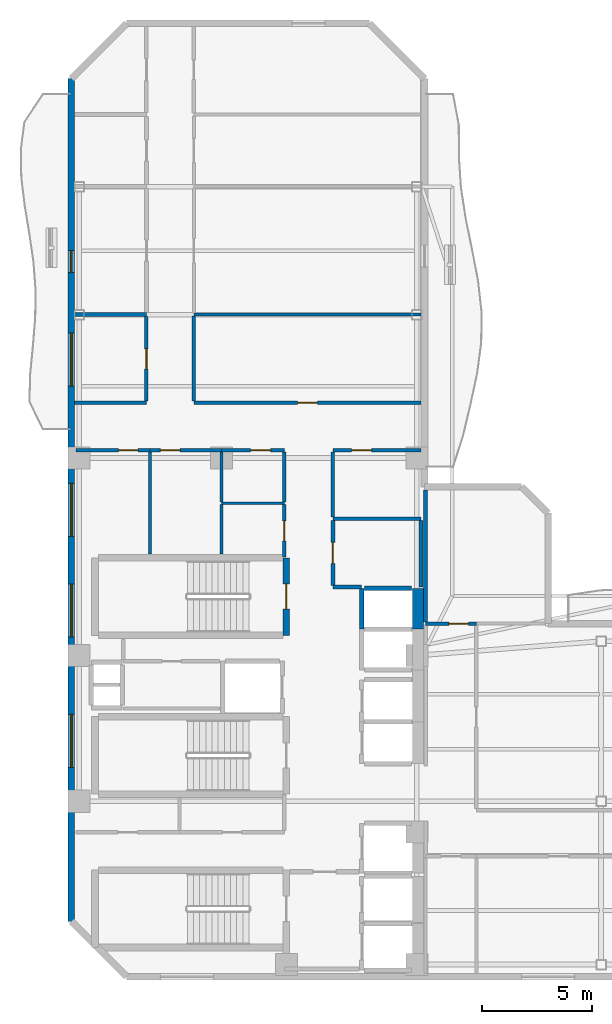
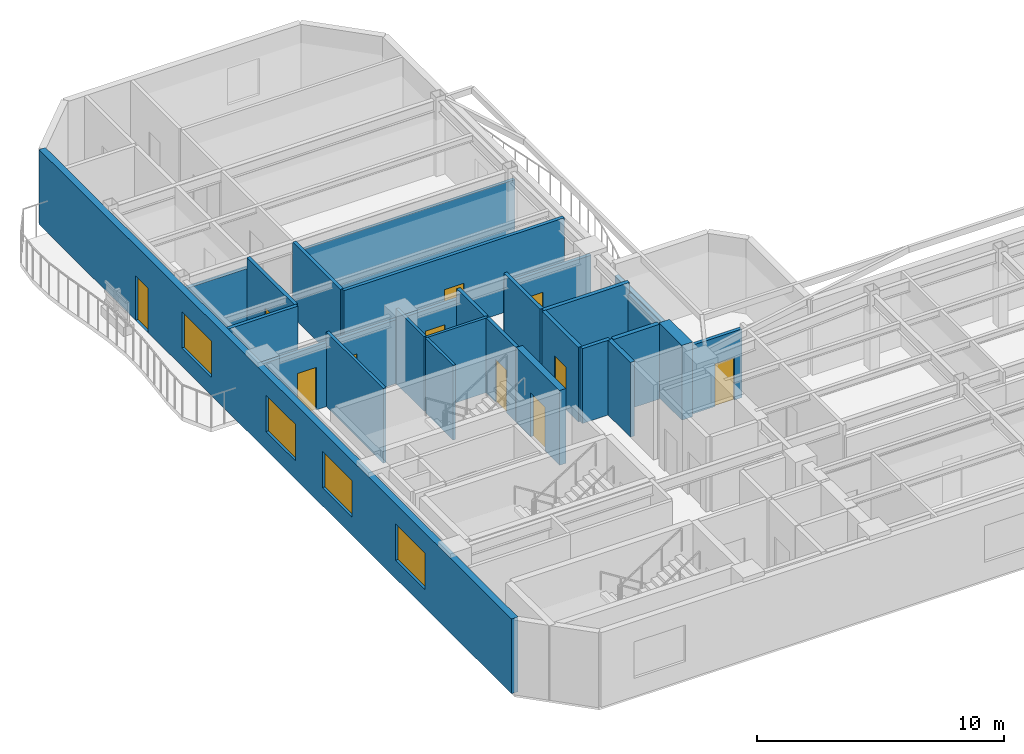
# One storey, part 4 of 9: 28 walls, 11 doors, 4 windows, 15 openings.
"""IFC4 building model written with IfcOpenShell, lengths in metres."""

from ifc_helpers import new_model, si_unit, direction, frame, frame_2d, origin, place, context, subcontext, project, spatial, rectangle, extrude, material, layer, layer_set, type_object, element, fill, save


model = new_model("IFC4")

# Units and contexts
model_context = context("Model", 3, precision=1e-05, world=origin(), true_north=direction((0.0, 1.0)))
body_context = subcontext(model_context, "Body", "Model", "MODEL_VIEW")
ifc_project = project(units=[si_unit("LENGTHUNIT", "METRE"), si_unit("AREAUNIT", "SQUARE_METRE"), si_unit("VOLUMEUNIT", "CUBIC_METRE"), si_unit("PLANEANGLEUNIT", "RADIAN"), si_unit("MASSUNIT", "GRAM", prefix="KILO")], contexts=[model_context])

# Site, building, storey
site_placement = place(None, origin())
site = spatial("IfcSite", under=ifc_project, at=site_placement, CompositionType="ELEMENT")
building_placement = place(site_placement, origin())
building = spatial("IfcBuilding", under=site, at=building_placement, Name="Mawjaban Terraces University", CompositionType="ELEMENT")
storey_placement = place(building_placement, frame((0.0, 0.0, 226.5)))
storey = spatial("IfcBuildingStorey", under=building, at=storey_placement, Name="L55", CompositionType="ELEMENT", Elevation=226.5)

# Walls
ifc_material_1 = material(Name="Acoustic masonry blockwork", Category="masonry")
ifc_layer_1 = layer(ifc_material_1, 0.179931640625)
ifc_layer_set_1 = layer_set([ifc_layer_1], Name="Acoustic masonry blockwork")
wall_type_1 = type_object("IfcWallType", Name="AcousticStudioWall_180", PredefinedType="PARTITIONING", material=ifc_layer_set_1)
wall_1_placement = place(storey_placement, frame((25.39990234375, 30.0, 0.0), z_axis=(0.0, 0.0, 1.0), x_axis=(-1.0, 0.0, 0.0)))
element("IfcWall", 1, at=wall_1_placement, inside=storey, type_object=wall_type_1, Name="L55 Departmental Office 8 Partition 4", PredefinedType="PARTITIONING", context=body_context, shape_type="SweptSolid", body=[
    extrude(rectangle(XDim=3.2548828125, YDim=0.179931640625, at=frame_2d((1.62744140625, 0.0))), origin(), (0.0, 0.0, 1.0), 3.14599609375),
])
wall_2_placement = place(storey_placement, frame((33.85009765625, 17.64990234375, 0.0), z_axis=(0.0, 0.0, 1.0), x_axis=(1.0, 0.0, 0.0)))
element("IfcWall", 2, at=wall_2_placement, inside=storey, type_object=wall_type_1, Name="L55 Graduate Research Collaboration Studio Partition 14", PredefinedType="PARTITIONING", context=body_context, shape_type="SweptSolid", body=[
    extrude(rectangle(XDim=1.2998046875, YDim=0.179931640625, at=frame_2d((0.64990234375, 0.0))), origin(), (0.0, 0.0, 1.0), 3.68994140625),
])
wall_3_placement = place(storey_placement, frame((37.85009765625, 20.75, 0.0), z_axis=(0.0, 0.0, 1.0), x_axis=(-1.0, 0.0, 0.0)))
element("IfcWall", 3, at=wall_3_placement, inside=storey, type_object=wall_type_1, Name="L55 Graduate Research Collaboration Studio Partition 16", PredefinedType="PARTITIONING", context=body_context, shape_type="SweptSolid", body=[
    extrude(rectangle(XDim=4.0, YDim=0.179931640625, at=frame_2d((2.0, 0.0))), origin(), (0.0, 0.0, 1.0), 3.68994140625),
])

# Wall, opening, door
wall_4_placement = place(storey_placement, frame((33.85009765625, 17.735107421875, 0.0), z_axis=(0.0, 0.0, 1.0), x_axis=(0.0, 1.0, 0.0)))
wall_4 = element("IfcWall", 4, at=wall_4_placement, inside=storey, type_object=wall_type_1, Name="L55 Core North Lift Lobby Partition 47", PredefinedType="PARTITIONING", context=body_context, shape_type="SweptSolid", body=[
    extrude(rectangle(XDim=2.929931640625, YDim=0.179931640625, at=frame_2d((1.46484375, 0.0))), origin(), (0.0, 0.0, 1.0), 3.68994140625),
])
opening_1_placement = place(wall_4_placement, frame((0.989990234375, 0.0, 0.0)))
opening_1 = element("IfcOpeningElement", 5, at=opening_1_placement, cuts=wall_4, Name="Opening ID-095", PredefinedType="OPENING", context=body_context, shape_type="SweptSolid", body=[
    extrude(rectangle(XDim=0.949951171875, YDim=2.10009765625, at=frame_2d((0.47509765625, 1.050048828125))), frame((0.0, 0.099853515625, 0.0), z_axis=(0.0, -1.0, 0.0), x_axis=(1.0, 0.0, 0.0)), (0.0, 0.0, 1.0), 0.199951171875),
])
ifc_material_2 = material(Name="Powder-coated steel frame and solid acoustic timber leaf", Category="steel")
door_type_1 = type_object("IfcDoorType", Name="StudioDoor_950x2100", OperationType="NOTDEFINED", PredefinedType="DOOR", material=ifc_material_2)
door_1_placement = place(opening_1_placement, origin())
door_1 = element("IfcDoor", 6, at=door_1_placement, inside=storey, type_object=door_type_1, Name="L55 Graduate Research Collaboration Studio Door", OperationType="SINGLE_SWING_RIGHT", OverallHeight=2.10009765625, OverallWidth=0.949951171875, PredefinedType="DOOR", context=body_context, shape_type="SweptSolid", body=[
    extrude(rectangle(XDim=0.949951171875, YDim=2.10009765625, at=frame_2d((0.47509765625, 1.050048828125))), frame((0.0, 0.02490234375, 0.0), z_axis=(0.0, -1.0, 0.0), x_axis=(1.0, 0.0, 0.0)), (0.0, 0.0, 1.0), 0.050048828125),
])
fill(opening_1, door_1)

# Walls
wall_5_placement = place(storey_placement, frame((37.85009765625, 17.64990234375, 0.0), z_axis=(0.0, 0.0, 1.0), x_axis=(0.0, 1.0, 0.0)))
element("IfcWall", 7, at=wall_5_placement, inside=storey, type_object=wall_type_1, Name="L55 Graduate Research Collaboration Studio Partition 49", PredefinedType="PARTITIONING", context=body_context, shape_type="SweptSolid", body=[
    extrude(rectangle(XDim=3.01513671875, YDim=0.179931640625, at=frame_2d((1.507568359375, 0.0))), origin(), (0.0, 0.0, 1.0), 3.14599609375),
])
wall_6_placement = place(storey_placement, frame((38.050048828125, 22.054931640625, 0.0), z_axis=(0.0, 0.0, 1.0), x_axis=(0.0, -1.0, 0.0)))
element("IfcWall", 8, at=wall_6_placement, inside=storey, type_object=wall_type_1, Name="L55 Terrace Collaborative Study Room Partition 53", PredefinedType="PARTITIONING", context=body_context, shape_type="SweptSolid", body=[
    extrude(rectangle(XDim=5.97998046875, YDim=0.179931640625, at=frame_2d((2.989990234375, 0.0))), origin(), (0.0, 0.0, 1.0), 3.14599609375),
])
ifc_material_3 = material(Name="Concrete C60/75", Category="concrete")
ifc_layer_2 = layer(ifc_material_3, 0.5)
ifc_layer_set_2 = layer_set([ifc_layer_2], Name="Concrete C60/75")
wall_type_2 = type_object("IfcWallType", Name="CoreShearWall_500", PredefinedType="SHEAR", material=ifc_layer_set_2)
wall_7_placement = place(storey_placement, frame((37.699951171875, 15.75, 0.0), z_axis=(0.0, 0.0, 1.0), x_axis=(0.0, 1.0, 0.0)))
element("IfcWall", 9, at=wall_7_placement, inside=storey, type_object=wall_type_2, Name="L55 Lift OL-2 Hoistway Wall East", PredefinedType="SHEAR", context=body_context, shape_type="SweptSolid", body=[
    extrude(rectangle(XDim=1.85009765625, YDim=0.5, at=frame_2d((0.925048828125, 0.0))), origin(), (0.0, 0.0, 1.0), 3.68994140625),
])
ifc_material_4 = material(Name="Fire-rated gypsum board on steel stud", Category="steel")
ifc_layer_3 = layer(ifc_material_4, 0.159912109375)
ifc_layer_set_3 = layer_set([ifc_layer_3], Name="Fire-rated gypsum board on steel stud")
wall_type_3 = type_object("IfcWallType", Name="CorridorPartition_160", PredefinedType="PARTITIONING", material=ifc_layer_set_3)
wall_8_placement = place(storey_placement, frame((25.39990234375, 26.0, 0.0), z_axis=(0.0, 0.0, 1.0), x_axis=(-1.0, 0.0, 0.0)))
element("IfcWall", 10, at=wall_8_placement, inside=storey, type_object=wall_type_3, Name="L55 North Core Cross-Corridor Partition 3", PredefinedType="PARTITIONING", context=body_context, shape_type="SweptSolid", body=[
    extrude(rectangle(XDim=3.2548828125, YDim=0.159912109375, at=frame_2d((1.62744140625, 0.0))), origin(), (0.0, 0.0, 1.0), 3.68994140625),
])

# Wall, opening, door
wall_9_placement = place(storey_placement, frame((25.550048828125, 23.85009765625, 0.0), z_axis=(0.0, 0.0, 1.0), x_axis=(-1.0, 0.0, 0.0)))
wall_9 = element("IfcWall", 11, at=wall_9_placement, inside=storey, type_object=wall_type_3, Name="L55 Female Toilet Partition 7", PredefinedType="PARTITIONING", context=body_context, shape_type="SweptSolid", body=[
    extrude(rectangle(XDim=3.35009765625, YDim=0.159912109375, at=frame_2d((1.675048828125, 0.0))), origin(), (0.0, 0.0, 1.0), 3.14599609375),
])
opening_2_placement = place(wall_9_placement, frame((0.534912109375, 0.0, 0.0)))
opening_2 = element("IfcOpeningElement", 12, at=opening_2_placement, cuts=wall_9, Name="Opening ID-088", PredefinedType="OPENING", context=body_context, shape_type="SweptSolid", body=[
    extrude(rectangle(XDim=0.8798828125, YDim=2.10009765625, at=frame_2d((0.43994140625, 1.050048828125))), frame((0.0, 0.08984375, 0.0), z_axis=(0.0, -1.0, 0.0), x_axis=(1.0, 0.0, 0.0)), (0.0, 0.0, 1.0), 0.179931640625),
])
door_type_2 = type_object("IfcDoorType", Name="ToiletDoor_880x2100", OperationType="NOTDEFINED", PredefinedType="DOOR", material=ifc_material_2)
door_2_placement = place(opening_2_placement, origin())
door_2 = element("IfcDoor", 13, at=door_2_placement, inside=storey, type_object=door_type_2, Name="L55 Female Toilet Door", OperationType="SINGLE_SWING_LEFT", OverallHeight=2.10009765625, OverallWidth=0.8798828125, PredefinedType="DOOR", context=body_context, shape_type="SweptSolid", body=[
    extrude(rectangle(XDim=0.8798828125, YDim=2.10009765625, at=frame_2d((0.43994140625, 1.050048828125))), frame((0.0, 0.02490234375, 0.0), z_axis=(0.0, -1.0, 0.0), x_axis=(1.0, 0.0, 0.0)), (0.0, 0.0, 1.0), 0.050048828125),
])
fill(opening_2, door_2)

wall_10_placement = place(storey_placement, frame((28.800048828125, 23.85009765625, 0.0), z_axis=(0.0, 0.0, 1.0), x_axis=(-1.0, 0.0, 0.0)))
wall_10 = element("IfcWall", 14, at=wall_10_placement, inside=storey, type_object=wall_type_3, Name="L55 Staff Tea Pantry Partition 9", PredefinedType="PARTITIONING", context=body_context, shape_type="SweptSolid", body=[
    extrude(rectangle(XDim=3.25, YDim=0.159912109375, at=frame_2d((1.625, 0.0))), origin(), (0.0, 0.0, 1.0), 3.14599609375),
])
opening_3_placement = place(wall_10_placement, frame((1.875, 0.0, 0.0)))
opening_3 = element("IfcOpeningElement", 15, at=opening_3_placement, cuts=wall_10, Name="Opening ID-090", PredefinedType="OPENING", context=body_context, shape_type="SweptSolid", body=[
    extrude(rectangle(XDim=0.89990234375, YDim=2.10009765625, at=frame_2d((0.449951171875, 1.050048828125))), frame((0.0, 0.08984375, 0.0), z_axis=(0.0, -1.0, 0.0), x_axis=(1.0, 0.0, 0.0)), (0.0, 0.0, 1.0), 0.179931640625),
])
door_type_3 = type_object("IfcDoorType", Name="OfficeDoor_900x2100", OperationType="NOTDEFINED", PredefinedType="DOOR", material=ifc_material_2)
door_3_placement = place(opening_3_placement, origin())
door_3 = element("IfcDoor", 16, at=door_3_placement, inside=storey, type_object=door_type_3, Name="L55 Staff Tea Pantry Door", OperationType="SINGLE_SWING_RIGHT", OverallHeight=2.10009765625, OverallWidth=0.89990234375, PredefinedType="DOOR", context=body_context, shape_type="SweptSolid", body=[
    extrude(rectangle(XDim=0.89990234375, YDim=2.10009765625, at=frame_2d((0.449951171875, 1.050048828125))), frame((0.0, 0.02490234375, 0.0), z_axis=(0.0, -1.0, 0.0), x_axis=(1.0, 0.0, 0.0)), (0.0, 0.0, 1.0), 0.050048828125),
])
fill(opening_3, door_3)

wall_11_placement = place(storey_placement, frame((31.64990234375, 23.85009765625, 0.0), z_axis=(0.0, 0.0, 1.0), x_axis=(-1.0, 0.0, 0.0)))
wall_11 = element("IfcWall", 17, at=wall_11_placement, inside=storey, type_object=wall_type_3, Name="L55 Faculty Consultation Alcove Partition 13", PredefinedType="PARTITIONING", context=body_context, shape_type="SweptSolid", body=[
    extrude(rectangle(XDim=2.849853515625, YDim=0.159912109375, at=frame_2d((1.4248046875, 0.0))), origin(), (0.0, 0.0, 1.0), 3.14599609375),
])
opening_4_placement = place(wall_11_placement, frame((0.625, 0.0, 0.0)))
opening_4 = element("IfcOpeningElement", 18, at=opening_4_placement, cuts=wall_11, Name="Opening ID-090", PredefinedType="OPENING", context=body_context, shape_type="SweptSolid", body=[
    extrude(rectangle(XDim=0.89990234375, YDim=2.10009765625, at=frame_2d((0.449951171875, 1.050048828125))), frame((0.0, 0.08984375, 0.0), z_axis=(0.0, -1.0, 0.0), x_axis=(1.0, 0.0, 0.0)), (0.0, 0.0, 1.0), 0.179931640625),
])
door_4_placement = place(opening_4_placement, origin())
door_4 = element("IfcDoor", 19, at=door_4_placement, inside=storey, type_object=door_type_3, Name="L55 Faculty Consultation Alcove Door", OperationType="SINGLE_SWING_LEFT", OverallHeight=2.10009765625, OverallWidth=0.89990234375, PredefinedType="DOOR", context=body_context, shape_type="SweptSolid", body=[
    extrude(rectangle(XDim=0.89990234375, YDim=2.10009765625, at=frame_2d((0.449951171875, 1.050048828125))), frame((0.0, 0.02490234375, 0.0), z_axis=(0.0, -1.0, 0.0), x_axis=(1.0, 0.0, 0.0)), (0.0, 0.0, 1.0), 0.050048828125),
])
fill(opening_4, door_4)

wall_12_placement = place(storey_placement, frame((37.85009765625, 23.85009765625, 0.0), z_axis=(0.0, 0.0, 1.0), x_axis=(-1.0, 0.0, 0.0)))
wall_12 = element("IfcWall", 20, at=wall_12_placement, inside=storey, type_object=wall_type_3, Name="L55 Departmental Copy and Archive Room Partition 17", PredefinedType="PARTITIONING", context=body_context, shape_type="SweptSolid", body=[
    extrude(rectangle(XDim=4.0, YDim=0.159912109375, at=frame_2d((2.0, 0.0))), origin(), (0.0, 0.0, 1.0), 3.14599609375),
])
opening_5_placement = place(wall_12_placement, frame((2.25, 0.0, 0.0)))
opening_5 = element("IfcOpeningElement", 21, at=opening_5_placement, cuts=wall_12, Name="Opening ID-090", PredefinedType="OPENING", context=body_context, shape_type="SweptSolid", body=[
    extrude(rectangle(XDim=0.89990234375, YDim=2.10009765625, at=frame_2d((0.449951171875, 1.050048828125))), frame((0.0, 0.08984375, 0.0), z_axis=(0.0, -1.0, 0.0), x_axis=(1.0, 0.0, 0.0)), (0.0, 0.0, 1.0), 0.179931640625),
])
door_5_placement = place(opening_5_placement, origin())
door_5 = element("IfcDoor", 22, at=door_5_placement, inside=storey, type_object=door_type_3, Name="L55 Departmental Copy and Archive Room Door", OperationType="SINGLE_SWING_LEFT", OverallHeight=2.10009765625, OverallWidth=0.89990234375, PredefinedType="DOOR", context=body_context, shape_type="SweptSolid", body=[
    extrude(rectangle(XDim=0.89990234375, YDim=2.10009765625, at=frame_2d((0.449951171875, 1.050048828125))), frame((0.0, 0.02490234375, 0.0), z_axis=(0.0, -1.0, 0.0), x_axis=(1.0, 0.0, 0.0)), (0.0, 0.0, 1.0), 0.050048828125),
])
fill(opening_5, door_5)

wall_13_placement = place(storey_placement, frame((37.85009765625, 26.0, 0.0), z_axis=(0.0, 0.0, 1.0), x_axis=(-1.0, 0.0, 0.0)))
wall_13 = element("IfcWall", 23, at=wall_13_placement, inside=storey, type_object=wall_type_3, Name="L55 North Core Cross-Corridor Partition 18", PredefinedType="PARTITIONING", context=body_context, shape_type="SweptSolid", body=[
    extrude(rectangle(XDim=10.300048828125, YDim=0.159912109375, at=frame_2d((5.14990234375, 0.0))), origin(), (0.0, 0.0, 1.0), 3.68994140625),
])
opening_6_placement = place(wall_13_placement, frame((4.699951171875, 0.0, 0.0)))
opening_6 = element("IfcOpeningElement", 24, at=opening_6_placement, cuts=wall_13, Name="Opening ID-090", PredefinedType="OPENING", context=body_context, shape_type="SweptSolid", body=[
    extrude(rectangle(XDim=0.89990234375, YDim=2.10009765625, at=frame_2d((0.449951171875, 1.050048828125))), frame((0.0, 0.08984375, 0.0), z_axis=(0.0, -1.0, 0.0), x_axis=(1.0, 0.0, 0.0)), (0.0, 0.0, 1.0), 0.179931640625),
])
door_6_placement = place(opening_6_placement, origin())
door_6 = element("IfcDoor", 25, at=door_6_placement, inside=storey, type_object=door_type_3, Name="L55 Quiet Reading Room 9 Door", OperationType="SINGLE_SWING_LEFT", OverallHeight=2.10009765625, OverallWidth=0.89990234375, PredefinedType="DOOR", context=body_context, shape_type="SweptSolid", body=[
    extrude(rectangle(XDim=0.89990234375, YDim=2.10009765625, at=frame_2d((0.449951171875, 1.050048828125))), frame((0.0, 0.02490234375, 0.0), z_axis=(0.0, -1.0, 0.0), x_axis=(1.0, 0.0, 0.0)), (0.0, 0.0, 1.0), 0.050048828125),
])
fill(opening_6, door_6)

wall_14_placement = place(storey_placement, frame((40.35009765625, 16.0, 0.0), z_axis=(0.0, 0.0, 1.0), x_axis=(-1.0, 0.0, 0.0)))
wall_14 = element("IfcWall", 26, at=wall_14_placement, inside=storey, type_object=wall_type_3, Name="L55 South Spine Spur Link Partition 24", PredefinedType="PARTITIONING", context=body_context, shape_type="SweptSolid", body=[
    extrude(rectangle(XDim=2.300048828125, YDim=0.159912109375, at=frame_2d((1.14990234375, 0.0))), origin(), (0.0, 0.0, 1.0), 3.389892578125),
])
opening_7_placement = place(wall_14_placement, frame((0.35009765625, 0.0, 0.0)))
opening_7 = element("IfcOpeningElement", 27, at=opening_7_placement, cuts=wall_14, Name="Opening ID-090", PredefinedType="OPENING", context=body_context, shape_type="SweptSolid", body=[
    extrude(rectangle(XDim=0.89990234375, YDim=2.10009765625, at=frame_2d((0.449951171875, 1.050048828125))), frame((0.0, 0.08984375, 0.0), z_axis=(0.0, -1.0, 0.0), x_axis=(1.0, 0.0, 0.0)), (0.0, 0.0, 1.0), 0.179931640625),
])
door_7_placement = place(opening_7_placement, origin())
door_7 = element("IfcDoor", 28, at=door_7_placement, inside=storey, type_object=door_type_3, Name="L55 Terrace Collaborative Study Room Door", OperationType="SINGLE_SWING_RIGHT", OverallHeight=2.10009765625, OverallWidth=0.89990234375, PredefinedType="DOOR", context=body_context, shape_type="SweptSolid", body=[
    extrude(rectangle(XDim=0.89990234375, YDim=2.10009765625, at=frame_2d((0.449951171875, 1.050048828125))), frame((0.0, 0.02490234375, 0.0), z_axis=(0.0, -1.0, 0.0), x_axis=(1.0, 0.0, 0.0)), (0.0, 0.0, 1.0), 0.050048828125),
])
fill(opening_7, door_7)

wall_15_placement = place(storey_placement, frame((25.39990234375, 29.9150390625, 0.0), z_axis=(0.0, 0.0, 1.0), x_axis=(0.0, -1.0, 0.0)))
wall_15 = element("IfcWall", 29, at=wall_15_placement, inside=storey, type_object=wall_type_3, Name="L55 West Shifted Academic Corridor Partition 32", PredefinedType="PARTITIONING", context=body_context, shape_type="SweptSolid", body=[
    extrude(rectangle(XDim=3.840087890625, YDim=0.159912109375, at=frame_2d((1.919921875, 0.0))), origin(), (0.0, 0.0, 1.0), 3.68994140625),
])
opening_8_placement = place(wall_15_placement, frame((1.469970703125, 0.0, 0.0)))
opening_8 = element("IfcOpeningElement", 30, at=opening_8_placement, cuts=wall_15, Name="Opening ID-090", PredefinedType="OPENING", context=body_context, shape_type="SweptSolid", body=[
    extrude(rectangle(XDim=0.89990234375, YDim=2.10009765625, at=frame_2d((0.449951171875, 1.050048828125))), frame((0.0, 0.08984375, 0.0), z_axis=(0.0, -1.0, 0.0), x_axis=(1.0, 0.0, 0.0)), (0.0, 0.0, 1.0), 0.179931640625),
])
door_8_placement = place(opening_8_placement, origin())
door_8 = element("IfcDoor", 31, at=door_8_placement, inside=storey, type_object=door_type_3, Name="L55 Departmental Office 8 Door", OperationType="SINGLE_SWING_RIGHT", OverallHeight=2.10009765625, OverallWidth=0.89990234375, PredefinedType="DOOR", context=body_context, shape_type="SweptSolid", body=[
    extrude(rectangle(XDim=0.89990234375, YDim=2.10009765625, at=frame_2d((0.449951171875, 1.050048828125))), frame((0.0, 0.02490234375, 0.0), z_axis=(0.0, -1.0, 0.0), x_axis=(1.0, 0.0, 0.0)), (0.0, 0.0, 1.0), 0.050048828125),
])
fill(opening_8, door_8)

# Wall
wall_16_placement = place(storey_placement, frame((27.550048828125, 26.074951171875, 0.0), z_axis=(0.0, 0.0, 1.0), x_axis=(0.0, 1.0, 0.0)))
element("IfcWall", 32, at=wall_16_placement, inside=storey, type_object=wall_type_3, Name="L55 West Shifted Academic Corridor Partition 38", PredefinedType="PARTITIONING", context=body_context, shape_type="SweptSolid", body=[
    extrude(rectangle(XDim=3.858154296875, YDim=0.159912109375, at=frame_2d((1.92919921875, 0.0))), origin(), (0.0, 0.0, 1.0), 3.68994140625),
])

# Wall, opening, door
wall_17_placement = place(storey_placement, frame((31.64990234375, 19.010009765625, 0.0), z_axis=(0.0, 0.0, 1.0), x_axis=(0.0, 1.0, 0.0)))
wall_17 = element("IfcWall", 33, at=wall_17_placement, inside=storey, type_object=wall_type_3, Name="L55 Faculty Academic Resource Office Partition 45", PredefinedType="PARTITIONING", context=body_context, shape_type="SweptSolid", body=[
    extrude(rectangle(XDim=2.382080078125, YDim=0.159912109375, at=frame_2d((1.19091796875, 0.0))), origin(), (0.0, 0.0, 1.0), 3.68994140625),
])
opening_9_placement = place(wall_17_placement, frame((0.740966796875, 0.0, 0.0)))
opening_9 = element("IfcOpeningElement", 34, at=opening_9_placement, cuts=wall_17, Name="Opening ID-090", PredefinedType="OPENING", context=body_context, shape_type="SweptSolid", body=[
    extrude(rectangle(XDim=0.89990234375, YDim=2.10009765625, at=frame_2d((0.449951171875, 1.050048828125))), frame((0.0, 0.08984375, 0.0), z_axis=(0.0, -1.0, 0.0), x_axis=(1.0, 0.0, 0.0)), (0.0, 0.0, 1.0), 0.179931640625),
])
door_9_placement = place(opening_9_placement, origin())
door_9 = element("IfcDoor", 35, at=door_9_placement, inside=storey, type_object=door_type_3, Name="L55 Faculty Academic Resource Office Door", OperationType="SINGLE_SWING_RIGHT", OverallHeight=2.10009765625, OverallWidth=0.89990234375, PredefinedType="DOOR", context=body_context, shape_type="SweptSolid", body=[
    extrude(rectangle(XDim=0.89990234375, YDim=2.10009765625, at=frame_2d((0.449951171875, 1.050048828125))), frame((0.0, 0.02490234375, 0.0), z_axis=(0.0, -1.0, 0.0), x_axis=(1.0, 0.0, 0.0)), (0.0, 0.0, 1.0), 0.050048828125),
])
fill(opening_9, door_9)

# Walls
wall_18_placement = place(storey_placement, frame((31.64990234375, 23.77490234375, 0.0), z_axis=(0.0, 0.0, 1.0), x_axis=(0.0, -1.0, 0.0)))
element("IfcWall", 36, at=wall_18_placement, inside=storey, type_object=wall_type_3, Name="L55 Core North Lift Lobby Partition 46", PredefinedType="PARTITIONING", context=body_context, shape_type="SweptSolid", body=[
    extrude(rectangle(XDim=2.266845703125, YDim=0.159912109375, at=frame_2d((1.13330078125, 0.0))), origin(), (0.0, 0.0, 1.0), 3.68994140625),
])
wall_19_placement = place(storey_placement, frame((33.85009765625, 20.8349609375, 0.0), z_axis=(0.0, 0.0, 1.0), x_axis=(0.0, 1.0, 0.0)))
element("IfcWall", 37, at=wall_19_placement, inside=storey, type_object=wall_type_3, Name="L55 Core North Lift Lobby Partition 48", PredefinedType="PARTITIONING", context=body_context, shape_type="SweptSolid", body=[
    extrude(rectangle(XDim=2.93994140625, YDim=0.159912109375, at=frame_2d((1.469970703125, 0.0))), origin(), (0.0, 0.0, 1.0), 3.68994140625),
])

# Wall, openings, door, windows
ifc_material_5 = material(Name="Insulated terracotta rainscreen on concrete backup C40/50", Category="masonry")
ifc_layer_4 = layer(ifc_material_5, 0.300048828125)
ifc_layer_set_4 = layer_set([ifc_layer_4], Name="Insulated terracotta rainscreen on concrete backup C40/50")
wall_type_4 = type_object("IfcWallType", Name="ExtTerracottaWall_300", PredefinedType="SOLIDWALL", material=ifc_layer_set_4)
wall_20_placement = place(storey_placement, frame((22.0, 40.699951171875, 0.0), z_axis=(0.0, 0.0, 1.0), x_axis=(0.0, -1.0, 0.0)))
wall_20 = element("IfcWall", 38, at=wall_20_placement, inside=storey, type_object=wall_type_4, Name="L55 Exterior Terracotta Wall 13", PredefinedType="SOLIDWALL", context=body_context, shape_type="SweptSolid", body=[
    extrude(rectangle(XDim=38.199951171875, YDim=0.300048828125, at=frame_2d((19.10009765625, 0.0))), origin(), (0.0, 0.0, 1.0), 3.68994140625),
])
opening_10_placement = place(wall_20_placement, frame((7.800048828125, 0.0, 0.0)))
opening_10 = element("IfcOpeningElement", 39, at=opening_10_placement, cuts=wall_20, Name="Opening BD-100", PredefinedType="OPENING", context=body_context, shape_type="SweptSolid", body=[
    extrude(rectangle(XDim=1.0, YDim=2.199951171875, at=frame_2d((0.5, 1.10009765625))), frame((0.0, 0.159912109375, 0.0), z_axis=(0.0, -1.0, 0.0), x_axis=(1.0, 0.0, 0.0)), (0.0, 0.0, 1.0), 0.320068359375),
])
opening_11_placement = place(wall_20_placement, frame((11.54296875, 0.0, 0.89990234375)))
opening_11 = element("IfcOpeningElement", 40, at=opening_11_placement, cuts=wall_20, Name="Opening W-08", PredefinedType="OPENING", context=body_context, shape_type="SweptSolid", body=[
    extrude(rectangle(XDim=2.39990234375, YDim=1.800048828125, at=frame_2d((1.199951171875, 0.89990234375))), frame((0.0, 0.159912109375, 0.0), z_axis=(0.0, -1.0, 0.0), x_axis=(1.0, 0.0, 0.0)), (0.0, 0.0, 1.0), 0.320068359375),
])
opening_12_placement = place(wall_20_placement, frame((18.35009765625, 0.0, 0.89990234375)))
opening_12 = element("IfcOpeningElement", 41, at=opening_12_placement, cuts=wall_20, Name="Opening W-08", PredefinedType="OPENING", context=body_context, shape_type="SweptSolid", body=[
    extrude(rectangle(XDim=2.39990234375, YDim=1.800048828125, at=frame_2d((1.199951171875, 0.89990234375))), frame((0.0, 0.159912109375, 0.0), z_axis=(0.0, -1.0, 0.0), x_axis=(1.0, 0.0, 0.0)), (0.0, 0.0, 1.0), 0.320068359375),
])
opening_13_placement = place(wall_20_placement, frame((22.906982421875, 0.0, 0.89990234375)))
opening_13 = element("IfcOpeningElement", 42, at=opening_13_placement, cuts=wall_20, Name="Opening W-08", PredefinedType="OPENING", context=body_context, shape_type="SweptSolid", body=[
    extrude(rectangle(XDim=2.39990234375, YDim=1.800048828125, at=frame_2d((1.199951171875, 0.89990234375))), frame((0.0, 0.159912109375, 0.0), z_axis=(0.0, -1.0, 0.0), x_axis=(1.0, 0.0, 0.0)), (0.0, 0.0, 1.0), 0.320068359375),
])
opening_14_placement = place(wall_20_placement, frame((28.81396484375, 0.0, 0.89990234375)))
opening_14 = element("IfcOpeningElement", 43, at=opening_14_placement, cuts=wall_20, Name="Opening W-08", PredefinedType="OPENING", context=body_context, shape_type="SweptSolid", body=[
    extrude(rectangle(XDim=2.39990234375, YDim=1.800048828125, at=frame_2d((1.199951171875, 0.89990234375))), frame((0.0, 0.159912109375, 0.0), z_axis=(0.0, -1.0, 0.0), x_axis=(1.0, 0.0, 0.0)), (0.0, 0.0, 1.0), 0.320068359375),
])
ifc_material_6 = material(Name="Thermally broken anodised aluminium and laminated safety glass", Category="aluminium")
door_type_4 = type_object("IfcDoorType", Name="BalconyGlazedDoor_1000x2200", OperationType="NOTDEFINED", PredefinedType="DOOR", material=ifc_material_6)
door_10_placement = place(opening_10_placement, origin())
door_10 = element("IfcDoor", 44, at=door_10_placement, inside=storey, type_object=door_type_4, Name="L55 Balcony Access Door west", OperationType="SINGLE_SWING_RIGHT", OverallHeight=2.199951171875, OverallWidth=1.0, PredefinedType="DOOR", context=body_context, shape_type="SweptSolid", body=[
    extrude(rectangle(XDim=1.0, YDim=2.199951171875, at=frame_2d((0.5, 1.10009765625))), frame((0.0, 0.02490234375, 0.0), z_axis=(0.0, -1.0, 0.0), x_axis=(1.0, 0.0, 0.0)), (0.0, 0.0, 1.0), 0.050048828125),
])
fill(opening_10, door_10)
ifc_material_7 = material(Name="Low-E solar-control double glazing in thermally broken aluminium frame", Category="aluminium")
window_type = type_object("IfcWindowType", Name="Win_2400x1800", PartitioningType="SINGLE_PANEL", PredefinedType="WINDOW", material=ifc_material_7)
window_1_placement = place(opening_11_placement, origin())
window_1 = element("IfcWindow", 45, at=window_1_placement, inside=storey, type_object=window_type, Name="L55 Facade Window 13.3", OverallHeight=1.800048828125, OverallWidth=2.39990234375, PartitioningType="SINGLE_PANEL", PredefinedType="WINDOW", context=body_context, shape_type="SweptSolid", body=[
    extrude(rectangle(XDim=2.39990234375, YDim=1.800048828125, at=frame_2d((1.199951171875, 0.89990234375))), frame((0.0, 0.030029296875, 0.0), z_axis=(0.0, -1.0, 0.0), x_axis=(1.0, 0.0, 0.0)), (0.0, 0.0, 1.0), 0.06005859375),
])
fill(opening_11, window_1)
window_2_placement = place(opening_12_placement, origin())
window_2 = element("IfcWindow", 46, at=window_2_placement, inside=storey, type_object=window_type, Name="L55 Facade Window 13.4", OverallHeight=1.800048828125, OverallWidth=2.39990234375, PartitioningType="SINGLE_PANEL", PredefinedType="WINDOW", context=body_context, shape_type="SweptSolid", body=[
    extrude(rectangle(XDim=2.39990234375, YDim=1.800048828125, at=frame_2d((1.199951171875, 0.89990234375))), frame((0.0, 0.030029296875, 0.0), z_axis=(0.0, -1.0, 0.0), x_axis=(1.0, 0.0, 0.0)), (0.0, 0.0, 1.0), 0.06005859375),
])
fill(opening_12, window_2)
window_3_placement = place(opening_13_placement, origin())
window_3 = element("IfcWindow", 47, at=window_3_placement, inside=storey, type_object=window_type, Name="L55 Facade Window 13.5", OverallHeight=1.800048828125, OverallWidth=2.39990234375, PartitioningType="SINGLE_PANEL", PredefinedType="WINDOW", context=body_context, shape_type="SweptSolid", body=[
    extrude(rectangle(XDim=2.39990234375, YDim=1.800048828125, at=frame_2d((1.199951171875, 0.89990234375))), frame((0.0, 0.030029296875, 0.0), z_axis=(0.0, -1.0, 0.0), x_axis=(1.0, 0.0, 0.0)), (0.0, 0.0, 1.0), 0.06005859375),
])
fill(opening_13, window_3)
window_4_placement = place(opening_14_placement, origin())
window_4 = element("IfcWindow", 48, at=window_4_placement, inside=storey, type_object=window_type, Name="L55 Facade Window 13.6", OverallHeight=1.800048828125, OverallWidth=2.39990234375, PartitioningType="SINGLE_PANEL", PredefinedType="WINDOW", context=body_context, shape_type="SweptSolid", body=[
    extrude(rectangle(XDim=2.39990234375, YDim=1.800048828125, at=frame_2d((1.199951171875, 0.89990234375))), frame((0.0, 0.030029296875, 0.0), z_axis=(0.0, -1.0, 0.0), x_axis=(1.0, 0.0, 0.0)), (0.0, 0.0, 1.0), 0.06005859375),
])
fill(opening_14, window_4)

# Walls
ifc_material_8 = material(Name="Concrete C40/50", Category="concrete")
ifc_layer_5 = layer(ifc_material_8, 0.199951171875)
ifc_layer_set_5 = layer_set([ifc_layer_5], Name="Concrete C40/50")
wall_type_5 = type_object("IfcWallType", Name="FireLobbyWall_200", PredefinedType="SOLIDWALL", material=ifc_layer_set_5)
wall_21_placement = place(storey_placement, frame((35.14990234375, 17.60009765625, 0.0), z_axis=(0.0, 0.0, 1.0), x_axis=(0.0, -1.0, 0.0)))
element("IfcWall", 49, at=wall_21_placement, inside=storey, type_object=wall_type_5, Name="L55 Lift OL-2 Hoistway Wall West", PredefinedType="SOLIDWALL", context=body_context, shape_type="SweptSolid", body=[
    extrude(rectangle(XDim=1.85009765625, YDim=0.199951171875, at=frame_2d((0.925048828125, 0.0))), origin(), (0.0, 0.0, 1.0), 3.68994140625),
])
wall_22_placement = place(storey_placement, frame((37.419921875, 17.60009765625, 0.0), z_axis=(0.0, 0.0, 1.0), x_axis=(-1.0, 0.0, 0.0)))
element("IfcWall", 50, at=wall_22_placement, inside=storey, type_object=wall_type_5, Name="L55 Lift OL-2 Hoistway Wall North", PredefinedType="SOLIDWALL", context=body_context, shape_type="SweptSolid", body=[
    extrude(rectangle(XDim=2.139892578125, YDim=0.199951171875, at=frame_2d((1.06982421875, 0.0))), origin(), (0.0, 0.0, 1.0), 3.68994140625),
])
ifc_material_9 = material(Name="Moisture-resistant gypsum board on steel stud", Category="steel")
ifc_layer_6 = layer(ifc_material_9, 0.14501953125)
ifc_layer_set_6 = layer_set([ifc_layer_6], Name="Moisture-resistant gypsum board on steel stud")
wall_type_6 = type_object("IfcWallType", Name="LabPartition_145", PredefinedType="PARTITIONING", material=ifc_layer_set_6)
wall_23_placement = place(storey_placement, frame((37.85009765625, 30.0, 0.0), z_axis=(0.0, 0.0, 1.0), x_axis=(-1.0, 0.0, 0.0)))
element("IfcWall", 51, at=wall_23_placement, inside=storey, type_object=wall_type_6, Name="L55 Quiet Reading Room 9 Partition 19", PredefinedType="PARTITIONING", context=body_context, shape_type="SweptSolid", body=[
    extrude(rectangle(XDim=10.300048828125, YDim=0.14501953125, at=frame_2d((5.14990234375, 0.0))), origin(), (0.0, 0.0, 1.0), 3.14599609375),
])
ifc_material_10 = material(Name="Gypsum plasterboard on steel stud", Category="steel")
ifc_layer_7 = layer(ifc_material_10, 0.125)
ifc_layer_set_7 = layer_set([ifc_layer_7], Name="Gypsum plasterboard on steel stud")
wall_type_7 = type_object("IfcWallType", Name="OfficePartition_125", PredefinedType="PARTITIONING", material=ifc_layer_set_7)
wall_24_placement = place(storey_placement, frame((31.64990234375, 21.449951171875, 0.0), z_axis=(0.0, 0.0, 1.0), x_axis=(-1.0, 0.0, 0.0)))
element("IfcWall", 52, at=wall_24_placement, inside=storey, type_object=wall_type_7, Name="L55 Faculty Academic Resource Office Partition 12", PredefinedType="PARTITIONING", context=body_context, shape_type="SweptSolid", body=[
    extrude(rectangle(XDim=2.849853515625, YDim=0.125, at=frame_2d((1.4248046875, 0.0))), origin(), (0.0, 0.0, 1.0), 3.68994140625),
])
wall_25_placement = place(storey_placement, frame((28.800048828125, 21.39208984375, 0.0), z_axis=(0.0, 0.0, 1.0), x_axis=(0.0, -1.0, 0.0)))
element("IfcWall", 53, at=wall_25_placement, inside=storey, type_object=wall_type_7, Name="L55 Faculty Academic Resource Office Partition 42", PredefinedType="PARTITIONING", context=body_context, shape_type="SweptSolid", body=[
    extrude(rectangle(XDim=2.232177734375, YDim=0.125, at=frame_2d((1.1162109375, 0.0))), origin(), (0.0, 0.0, 1.0), 3.68994140625),
])
wall_26_placement = place(storey_placement, frame((28.800048828125, 23.77490234375, 0.0), z_axis=(0.0, 0.0, 1.0), x_axis=(0.0, -1.0, 0.0)))
element("IfcWall", 54, at=wall_26_placement, inside=storey, type_object=wall_type_7, Name="L55 Faculty Consultation Alcove Partition 43", PredefinedType="PARTITIONING", context=body_context, shape_type="SweptSolid", body=[
    extrude(rectangle(XDim=2.266845703125, YDim=0.125, at=frame_2d((1.13330078125, 0.0))), origin(), (0.0, 0.0, 1.0), 3.68994140625),
])

# Wall, opening, door
ifc_layer_8 = layer(ifc_material_3, 0.300048828125)
ifc_layer_set_8 = layer_set([ifc_layer_8], Name="Concrete C60/75")
wall_type_8 = type_object("IfcWallType", Name="StairShaftWall_300", PredefinedType="SHEAR", material=ifc_layer_set_8)
wall_27_placement = place(storey_placement, frame((31.72998046875, 15.469970703125, 0.0), z_axis=(0.0, 0.0, 1.0), x_axis=(0.0, 1.0, 0.0)))
wall_27 = element("IfcWall", 55, at=wall_27_placement, inside=storey, type_object=wall_type_8, Name="L55 ST-2 Stair Shaft Wall 4", PredefinedType="SHEAR", context=body_context, shape_type="SweptSolid", body=[
    extrude(rectangle(XDim=3.510009765625, YDim=0.300048828125, at=frame_2d((1.7548828125, 0.0))), origin(), (0.0, 0.0, 1.0), 3.68994140625),
])
opening_15_placement = place(wall_27_placement, frame((1.179931640625, 0.0, 0.0)))
opening_15 = element("IfcOpeningElement", 56, at=opening_15_placement, cuts=wall_27, Name="Opening FD-115", PredefinedType="OPENING", context=body_context, shape_type="SweptSolid", body=[
    extrude(rectangle(XDim=1.14990234375, YDim=2.14990234375, at=frame_2d((0.574951171875, 1.074951171875))), frame((0.0, 0.159912109375, 0.0), z_axis=(0.0, -1.0, 0.0), x_axis=(1.0, 0.0, 0.0)), (0.0, 0.0, 1.0), 0.320068359375),
])
ifc_material_11 = material(Name="Powder-coated steel frame and fire-rated steel-faced leaf", Category="steel")
door_type_5 = type_object("IfcDoorType", Name="FireStairDoor_1150x2150", OperationType="NOTDEFINED", PredefinedType="DOOR", material=ifc_material_11)
door_11_placement = place(opening_15_placement, origin())
door_11 = element("IfcDoor", 57, at=door_11_placement, inside=storey, type_object=door_type_5, Name="L55 ST-2 Pressurised Stair Fire Door", OperationType="SINGLE_SWING_LEFT", OverallHeight=2.14990234375, OverallWidth=1.14990234375, PredefinedType="DOOR", context=body_context, shape_type="SweptSolid", body=[
    extrude(rectangle(XDim=1.14990234375, YDim=2.14990234375, at=frame_2d((0.574951171875, 1.074951171875))), frame((0.0, 0.02490234375, 0.0), z_axis=(0.0, -1.0, 0.0), x_axis=(1.0, 0.0, 0.0)), (0.0, 0.0, 1.0), 0.050048828125),
])
fill(opening_15, door_11)

# Wall
ifc_material_12 = material(Name="Cement-board wet-room partition", Category="masonry")
ifc_layer_9 = layer(ifc_material_12, 0.135009765625)
ifc_layer_set_9 = layer_set([ifc_layer_9], Name="Cement-board wet-room partition")
wall_type_9 = type_object("IfcWallType", Name="WetRoomPartition_135", PredefinedType="PARTITIONING", material=ifc_layer_set_9)
wall_28_placement = place(storey_placement, frame((25.550048828125, 19.159912109375, 0.0), z_axis=(0.0, 0.0, 1.0), x_axis=(0.0, 1.0, 0.0)))
element("IfcWall", 58, at=wall_28_placement, inside=storey, type_object=wall_type_9, Name="L55 Female Toilet Partition 36", PredefinedType="PARTITIONING", context=body_context, shape_type="SweptSolid", body=[
    extrude(rectangle(XDim=4.614990234375, YDim=0.135009765625, at=frame_2d((2.3076171875, 0.0))), origin(), (0.0, 0.0, 1.0), 3.68994140625),
])

save(model, "model.ifc")
